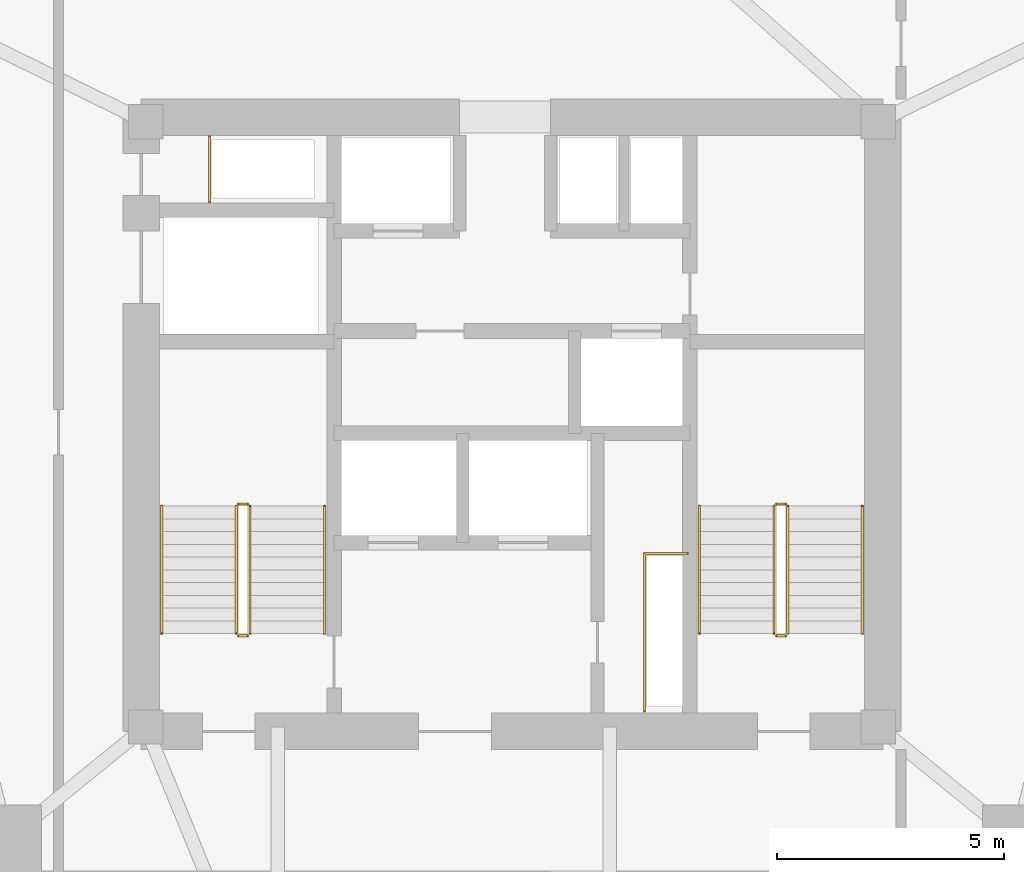
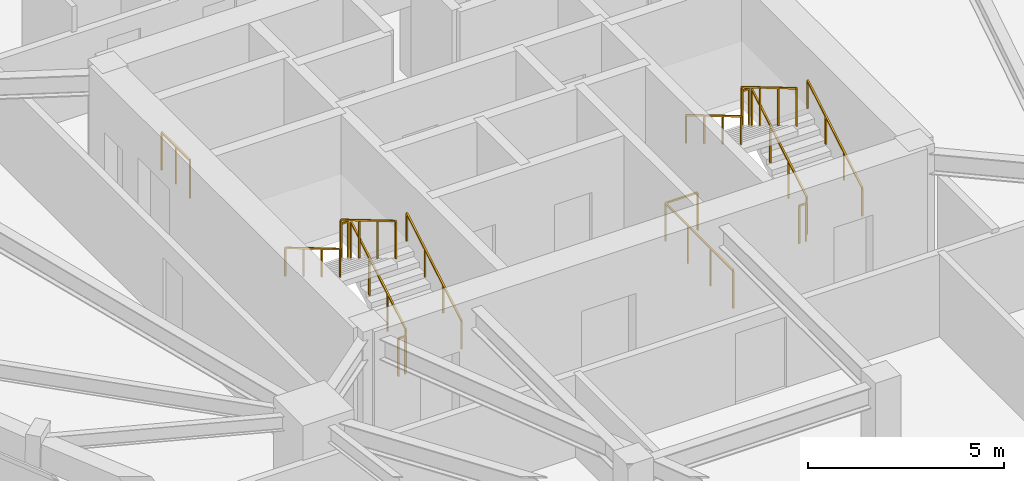
# One storey, part 11 of 11: 14 railings.
"""IFC4 building model written with IfcOpenShell, lengths in metres."""

from ifc_helpers import new_model, si_unit, direction, frame, origin, origin_2d, place, context, subcontext, project, spatial, rectangle, extrude, material, type_object, element, save


model = new_model("IFC4")

# Units and contexts
model_context = context("Model", 3, precision=1e-05, world=origin(), true_north=direction((0.0, 1.0)))
body_context = subcontext(model_context, "Body", "Model", "MODEL_VIEW")
ifc_project = project(units=[si_unit("LENGTHUNIT", "METRE"), si_unit("AREAUNIT", "SQUARE_METRE"), si_unit("VOLUMEUNIT", "CUBIC_METRE"), si_unit("PLANEANGLEUNIT", "RADIAN"), si_unit("MASSUNIT", "GRAM", prefix="KILO")], contexts=[model_context])

# Site, building, storey
site_placement = place(None, origin())
site = spatial("IfcSite", under=ifc_project, at=site_placement, CompositionType="ELEMENT")
building_placement = place(site_placement, origin())
building = spatial("IfcBuilding", under=site, at=building_placement, Name="Talyreon Biosciences Tower", CompositionType="ELEMENT")
storey_placement = place(building_placement, frame((0.0, 0.0, 163.699951171875)))
storey = spatial("IfcBuildingStorey", under=building, at=storey_placement, Name="L43", CompositionType="ELEMENT", Elevation=163.699951171875)

# Railings
ifc_material_1 = material(Name="Brushed stainless-steel tubular handrail", Category="steel")
railing_type_1 = type_object("IfcRailingType", Name="StairWallHandrail_900", PredefinedType="HANDRAIL", material=ifc_material_1)
railing_1_placement = place(storey_placement, frame((61.8798828125, 63.39990234375, 0.166015625)))
element("IfcRailing", 1, at=railing_1_placement, inside=storey, type_object=railing_type_1, Name="L43 ST-1 stair handrail 1", PredefinedType="HANDRAIL", context=body_context, shape_type="SweptSolid", body=[
    extrude(rectangle(XDim=0.048095703125, YDim=0.048095703125, at=origin_2d()), frame((0.0, 0.0, 0.8759765625), z_axis=(0.0, 0.860339051648, 0.50972219513), x_axis=(-1.0, 0.0, 0.0)), (0.0, 0.0, 1.0), 3.254638671875),
    extrude(rectangle(XDim=0.0419921875, YDim=0.0419921875, at=origin_2d()), origin(), (0.0, 0.0, 1.0), 0.851806640625),
    extrude(rectangle(XDim=0.0419921875, YDim=0.0419921875, at=origin_2d()), frame((0.0, 0.933349609375, 0.552978515625)), (0.0, 0.0, 1.0), 0.851806640625),
    extrude(rectangle(XDim=0.0419921875, YDim=0.0419921875, at=origin_2d()), frame((0.0, 1.86669921875, 1.10595703125)), (0.0, 0.0, 1.0), 0.851806640625),
    extrude(rectangle(XDim=0.0419921875, YDim=0.0419921875, at=origin_2d()), frame((0.0, 2.800048828125, 1.658935546875)), (0.0, 0.0, 1.0), 0.851806640625),
])
railing_2_placement = place(storey_placement, frame((58.300048828125, 66.199951171875, 1.990966796875)))
element("IfcRailing", 2, at=railing_2_placement, inside=storey, type_object=railing_type_1, Name="L43 ST-1 stair handrail 2", PredefinedType="HANDRAIL", context=body_context, shape_type="SweptSolid", body=[
    extrude(rectangle(XDim=0.048095703125, YDim=0.048095703125, at=origin_2d()), frame((0.0, 0.0, 0.8759765625), z_axis=(0.0, -0.860306154799, 0.50977771628), x_axis=(1.0, 0.0, 0.0)), (0.0, 0.0, 1.0), 3.254638671875),
    extrude(rectangle(XDim=0.0419921875, YDim=0.0419921875, at=origin_2d()), origin(), (0.0, 0.0, 1.0), 0.851806640625),
    extrude(rectangle(XDim=0.0419921875, YDim=0.0419921875, at=origin_2d()), frame((0.0, -0.933349609375, 0.552978515625)), (0.0, 0.0, 1.0), 0.851806640625),
    extrude(rectangle(XDim=0.0419921875, YDim=0.0419921875, at=origin_2d()), frame((0.0, -1.86669921875, 1.106201171875)), (0.0, 0.0, 1.0), 0.851806640625),
    extrude(rectangle(XDim=0.0419921875, YDim=0.0419921875, at=origin_2d()), frame((0.0, -2.800048828125, 1.6591796875)), (0.0, 0.0, 1.0), 0.851806640625),
])
railing_3_placement = place(storey_placement, frame((73.699951171875, 63.39990234375, 0.166015625)))
element("IfcRailing", 3, at=railing_3_placement, inside=storey, type_object=railing_type_1, Name="L43 ST-2 stair handrail 1", PredefinedType="HANDRAIL", context=body_context, shape_type="SweptSolid", body=[
    extrude(rectangle(XDim=0.048095703125, YDim=0.048095703125, at=origin_2d()), frame((0.0, 0.0, 0.8759765625), z_axis=(0.0, 0.860339051648, 0.50972219513), x_axis=(-1.0, 0.0, 0.0)), (0.0, 0.0, 1.0), 3.254638671875),
    extrude(rectangle(XDim=0.0419921875, YDim=0.0419921875, at=origin_2d()), origin(), (0.0, 0.0, 1.0), 0.851806640625),
    extrude(rectangle(XDim=0.0419921875, YDim=0.0419921875, at=origin_2d()), frame((0.0, 0.933349609375, 0.552978515625)), (0.0, 0.0, 1.0), 0.851806640625),
    extrude(rectangle(XDim=0.0419921875, YDim=0.0419921875, at=origin_2d()), frame((0.0, 1.86669921875, 1.10595703125)), (0.0, 0.0, 1.0), 0.851806640625),
    extrude(rectangle(XDim=0.0419921875, YDim=0.0419921875, at=origin_2d()), frame((0.0, 2.800048828125, 1.658935546875)), (0.0, 0.0, 1.0), 0.851806640625),
])
railing_4_placement = place(storey_placement, frame((70.1201171875, 66.199951171875, 1.990966796875)))
element("IfcRailing", 4, at=railing_4_placement, inside=storey, type_object=railing_type_1, Name="L43 ST-2 stair handrail 2", PredefinedType="HANDRAIL", context=body_context, shape_type="SweptSolid", body=[
    extrude(rectangle(XDim=0.048095703125, YDim=0.048095703125, at=origin_2d()), frame((0.0, 0.0, 0.8759765625), z_axis=(0.0, -0.860306154799, 0.50977771628), x_axis=(1.0, 0.0, 0.0)), (0.0, 0.0, 1.0), 3.254638671875),
    extrude(rectangle(XDim=0.0419921875, YDim=0.0419921875, at=origin_2d()), origin(), (0.0, 0.0, 1.0), 0.851806640625),
    extrude(rectangle(XDim=0.0419921875, YDim=0.0419921875, at=origin_2d()), frame((0.0, -0.933349609375, 0.552978515625)), (0.0, 0.0, 1.0), 0.851806640625),
    extrude(rectangle(XDim=0.0419921875, YDim=0.0419921875, at=origin_2d()), frame((0.0, -1.86669921875, 1.106201171875)), (0.0, 0.0, 1.0), 0.851806640625),
    extrude(rectangle(XDim=0.0419921875, YDim=0.0419921875, at=origin_2d()), frame((0.0, -2.800048828125, 1.6591796875)), (0.0, 0.0, 1.0), 0.851806640625),
])
ifc_material_2 = material(Name="Painted galvanised steel post-and-rail balustrade", Category="steel")
railing_type_2 = type_object("IfcRailingType", Name="TerraceStairGuard_1200", PredefinedType="GUARDRAIL", material=ifc_material_2)
railing_5_placement = place(storey_placement, frame((60.239990234375, 63.39990234375, 0.166015625)))
element("IfcRailing", 5, at=railing_5_placement, inside=storey, type_object=railing_type_2, Name="L43 ST-1 stair guard 1", PredefinedType="GUARDRAIL", context=body_context, shape_type="SweptSolid", body=[
    extrude(rectangle(XDim=0.048095703125, YDim=0.048095703125, at=origin_2d()), frame((0.0, 0.0, 1.17578125), z_axis=(0.0, 0.860339051648, 0.50972219513), x_axis=(-1.0, 0.0, 0.0)), (0.0, 0.0, 1.0), 3.254638671875),
    extrude(rectangle(XDim=0.0419921875, YDim=0.0419921875, at=origin_2d()), origin(), (0.0, 0.0, 1.0), 1.15185546875),
    extrude(rectangle(XDim=0.0419921875, YDim=0.0419921875, at=origin_2d()), frame((0.0, 0.933349609375, 0.552978515625)), (0.0, 0.0, 1.0), 1.15185546875),
    extrude(rectangle(XDim=0.0419921875, YDim=0.0419921875, at=origin_2d()), frame((0.0, 1.86669921875, 1.10595703125)), (0.0, 0.0, 1.0), 1.15185546875),
    extrude(rectangle(XDim=0.0419921875, YDim=0.0419921875, at=origin_2d()), frame((0.0, 2.800048828125, 1.658935546875)), (0.0, 0.0, 1.0), 1.15185546875),
])
railing_6_placement = place(storey_placement, frame((60.18994140625, 66.25, 1.824951171875)))
element("IfcRailing", 6, at=railing_6_placement, inside=storey, type_object=railing_type_2, Name="L43 ST-1 stair guard 2", PredefinedType="GUARDRAIL", context=body_context, shape_type="SweptSolid", body=[
    extrude(rectangle(XDim=0.048095703125, YDim=0.048095703125, at=origin_2d()), frame((0.0, 0.0, 1.17578125), z_axis=(-1.0, 0.0, 0.0), x_axis=(0.0, -1.0, 0.0)), (0.0, 0.0, 1.0), 0.199951171875),
    extrude(rectangle(XDim=0.0419921875, YDim=0.0419921875, at=origin_2d()), origin(), (0.0, 0.0, 1.0), 1.15185546875),
    extrude(rectangle(XDim=0.0419921875, YDim=0.0419921875, at=origin_2d()), frame((-0.199951171875, 0.0, 0.0)), (0.0, 0.0, 1.0), 1.15185546875),
])
railing_7_placement = place(storey_placement, frame((59.93994140625, 66.199951171875, 1.990966796875)))
element("IfcRailing", 7, at=railing_7_placement, inside=storey, type_object=railing_type_2, Name="L43 ST-1 stair guard 3", PredefinedType="GUARDRAIL", context=body_context, shape_type="SweptSolid", body=[
    extrude(rectangle(XDim=0.048095703125, YDim=0.048095703125, at=origin_2d()), frame((0.0, 0.0, 1.17578125), z_axis=(0.0, -0.860306154799, 0.50977771628), x_axis=(1.0, 0.0, 0.0)), (0.0, 0.0, 1.0), 3.254638671875),
    extrude(rectangle(XDim=0.0419921875, YDim=0.0419921875, at=origin_2d()), origin(), (0.0, 0.0, 1.0), 1.15185546875),
    extrude(rectangle(XDim=0.0419921875, YDim=0.0419921875, at=origin_2d()), frame((0.0, -0.933349609375, 0.552978515625)), (0.0, 0.0, 1.0), 1.15185546875),
    extrude(rectangle(XDim=0.0419921875, YDim=0.0419921875, at=origin_2d()), frame((0.0, -1.86669921875, 1.106201171875)), (0.0, 0.0, 1.0), 1.15185546875),
    extrude(rectangle(XDim=0.0419921875, YDim=0.0419921875, at=origin_2d()), frame((0.0, -2.800048828125, 1.6591796875)), (0.0, 0.0, 1.0), 1.15185546875),
])
railing_8_placement = place(storey_placement, frame((60.18994140625, 63.35009765625, 0.0)))
element("IfcRailing", 8, at=railing_8_placement, inside=storey, type_object=railing_type_2, Name="L43 ST-1 stair guard 4", PredefinedType="GUARDRAIL", context=body_context, shape_type="SweptSolid", body=[
    extrude(rectangle(XDim=0.048095703125, YDim=0.048095703125, at=origin_2d()), frame((0.0, 0.0, 1.17578125), z_axis=(-1.0, 0.0, 0.0), x_axis=(0.0, -1.0, 0.0)), (0.0, 0.0, 1.0), 0.199951171875),
    extrude(rectangle(XDim=0.0419921875, YDim=0.0419921875, at=origin_2d()), origin(), (0.0, 0.0, 1.0), 1.15185546875),
    extrude(rectangle(XDim=0.0419921875, YDim=0.0419921875, at=origin_2d()), frame((-0.199951171875, 0.0, 0.0)), (0.0, 0.0, 1.0), 1.15185546875),
])
railing_9_placement = place(storey_placement, frame((72.06005859375, 63.39990234375, 0.166015625)))
element("IfcRailing", 9, at=railing_9_placement, inside=storey, type_object=railing_type_2, Name="L43 ST-2 stair guard 1", PredefinedType="GUARDRAIL", context=body_context, shape_type="SweptSolid", body=[
    extrude(rectangle(XDim=0.048095703125, YDim=0.048095703125, at=origin_2d()), frame((0.0, 0.0, 1.17578125), z_axis=(0.0, 0.860339051648, 0.50972219513), x_axis=(-1.0, 0.0, 0.0)), (0.0, 0.0, 1.0), 3.254638671875),
    extrude(rectangle(XDim=0.0419921875, YDim=0.0419921875, at=origin_2d()), origin(), (0.0, 0.0, 1.0), 1.15185546875),
    extrude(rectangle(XDim=0.0419921875, YDim=0.0419921875, at=origin_2d()), frame((0.0, 0.933349609375, 0.552978515625)), (0.0, 0.0, 1.0), 1.15185546875),
    extrude(rectangle(XDim=0.0419921875, YDim=0.0419921875, at=origin_2d()), frame((0.0, 1.86669921875, 1.10595703125)), (0.0, 0.0, 1.0), 1.15185546875),
    extrude(rectangle(XDim=0.0419921875, YDim=0.0419921875, at=origin_2d()), frame((0.0, 2.800048828125, 1.658935546875)), (0.0, 0.0, 1.0), 1.15185546875),
])
railing_10_placement = place(storey_placement, frame((72.010009765625, 66.25, 1.824951171875)))
element("IfcRailing", 10, at=railing_10_placement, inside=storey, type_object=railing_type_2, Name="L43 ST-2 stair guard 2", PredefinedType="GUARDRAIL", context=body_context, shape_type="SweptSolid", body=[
    extrude(rectangle(XDim=0.048095703125, YDim=0.048095703125, at=origin_2d()), frame((0.0, 0.0, 1.17578125), z_axis=(-1.0, 0.0, 0.0), x_axis=(0.0, -1.0, 0.0)), (0.0, 0.0, 1.0), 0.199951171875),
    extrude(rectangle(XDim=0.0419921875, YDim=0.0419921875, at=origin_2d()), origin(), (0.0, 0.0, 1.0), 1.15185546875),
    extrude(rectangle(XDim=0.0419921875, YDim=0.0419921875, at=origin_2d()), frame((-0.199951171875, 0.0, 0.0)), (0.0, 0.0, 1.0), 1.15185546875),
])
railing_11_placement = place(storey_placement, frame((71.760009765625, 66.199951171875, 1.990966796875)))
element("IfcRailing", 11, at=railing_11_placement, inside=storey, type_object=railing_type_2, Name="L43 ST-2 stair guard 3", PredefinedType="GUARDRAIL", context=body_context, shape_type="SweptSolid", body=[
    extrude(rectangle(XDim=0.048095703125, YDim=0.048095703125, at=origin_2d()), frame((0.0, 0.0, 1.17578125), z_axis=(0.0, -0.860306154799, 0.50977771628), x_axis=(1.0, 0.0, 0.0)), (0.0, 0.0, 1.0), 3.254638671875),
    extrude(rectangle(XDim=0.0419921875, YDim=0.0419921875, at=origin_2d()), origin(), (0.0, 0.0, 1.0), 1.15185546875),
    extrude(rectangle(XDim=0.0419921875, YDim=0.0419921875, at=origin_2d()), frame((0.0, -0.933349609375, 0.552978515625)), (0.0, 0.0, 1.0), 1.15185546875),
    extrude(rectangle(XDim=0.0419921875, YDim=0.0419921875, at=origin_2d()), frame((0.0, -1.86669921875, 1.106201171875)), (0.0, 0.0, 1.0), 1.15185546875),
    extrude(rectangle(XDim=0.0419921875, YDim=0.0419921875, at=origin_2d()), frame((0.0, -2.800048828125, 1.6591796875)), (0.0, 0.0, 1.0), 1.15185546875),
])
railing_12_placement = place(storey_placement, frame((72.010009765625, 63.35009765625, 0.0)))
element("IfcRailing", 12, at=railing_12_placement, inside=storey, type_object=railing_type_2, Name="L43 ST-2 stair guard 4", PredefinedType="GUARDRAIL", context=body_context, shape_type="SweptSolid", body=[
    extrude(rectangle(XDim=0.048095703125, YDim=0.048095703125, at=origin_2d()), frame((0.0, 0.0, 1.17578125), z_axis=(-1.0, 0.0, 0.0), x_axis=(0.0, -1.0, 0.0)), (0.0, 0.0, 1.0), 0.199951171875),
    extrude(rectangle(XDim=0.0419921875, YDim=0.0419921875, at=origin_2d()), origin(), (0.0, 0.0, 1.0), 1.15185546875),
    extrude(rectangle(XDim=0.0419921875, YDim=0.0419921875, at=origin_2d()), frame((-0.199951171875, 0.0, 0.0)), (0.0, 0.0, 1.0), 1.15185546875),
])
railing_13_placement = place(storey_placement, frame((59.35009765625, 72.8798828125, 0.0)))
element("IfcRailing", 13, at=railing_13_placement, inside=storey, type_object=railing_type_2, Name="L43 Exhaust Riser Maintenance Guardrail", PredefinedType="GUARDRAIL", context=body_context, shape_type="SweptSolid", body=[
    extrude(rectangle(XDim=0.048095703125, YDim=0.048095703125, at=origin_2d()), frame((0.0, 0.0, 1.17578125), z_axis=(0.0, 1.0, 0.0), x_axis=(-1.0, 0.0, 0.0)), (0.0, 0.0, 1.0), 1.4501953125),
    extrude(rectangle(XDim=0.0419921875, YDim=0.0419921875, at=origin_2d()), origin(), (0.0, 0.0, 1.0), 1.15185546875),
    extrude(rectangle(XDim=0.0419921875, YDim=0.0419921875, at=origin_2d()), frame((0.0, 0.72509765625, 0.0)), (0.0, 0.0, 1.0), 1.15185546875),
    extrude(rectangle(XDim=0.0419921875, YDim=0.0419921875, at=origin_2d()), frame((0.0, 1.4501953125, 0.0)), (0.0, 0.0, 1.0), 1.15185546875),
])
railing_14_placement = place(storey_placement, frame((68.909912109375, 61.699951171875, 0.0)))
element("IfcRailing", 14, at=railing_14_placement, inside=storey, type_object=railing_type_2, Name="L43 Electrical Riser Maintenance Guardrail", PredefinedType="GUARDRAIL", context=body_context, shape_type="SweptSolid", body=[
    extrude(rectangle(XDim=0.048095703125, YDim=0.048095703125, at=origin_2d()), frame((0.0, 0.0, 1.17578125), z_axis=(0.0, 1.0, 0.0), x_axis=(-1.0, 0.0, 0.0)), (0.0, 0.0, 1.0), 3.4599609375),
    extrude(rectangle(XDim=0.048095703125, YDim=0.048095703125, at=origin_2d()), frame((0.0, 3.4599609375, 1.17578125), z_axis=(1.0, 0.0, 0.0), x_axis=(0.0, 1.0, 0.0)), (0.0, 0.0, 1.0), 0.9501953125),
    extrude(rectangle(XDim=0.0419921875, YDim=0.0419921875, at=origin_2d()), origin(), (0.0, 0.0, 1.0), 1.15185546875),
    extrude(rectangle(XDim=0.0419921875, YDim=0.0419921875, at=origin_2d()), frame((0.0, 1.1533203125, 0.0)), (0.0, 0.0, 1.0), 1.15185546875),
    extrude(rectangle(XDim=0.0419921875, YDim=0.0419921875, at=origin_2d()), frame((0.0, 2.306640625, 0.0)), (0.0, 0.0, 1.0), 1.15185546875),
    extrude(rectangle(XDim=0.0419921875, YDim=0.0419921875, at=origin_2d()), frame((0.0, 3.4599609375, 0.0)), (0.0, 0.0, 1.0), 1.15185546875),
    extrude(rectangle(XDim=0.0419921875, YDim=0.0419921875, at=origin_2d()), frame((0.9501953125, 3.4599609375, 0.0)), (0.0, 0.0, 1.0), 1.15185546875),
])

save(model, "model.ifc")
